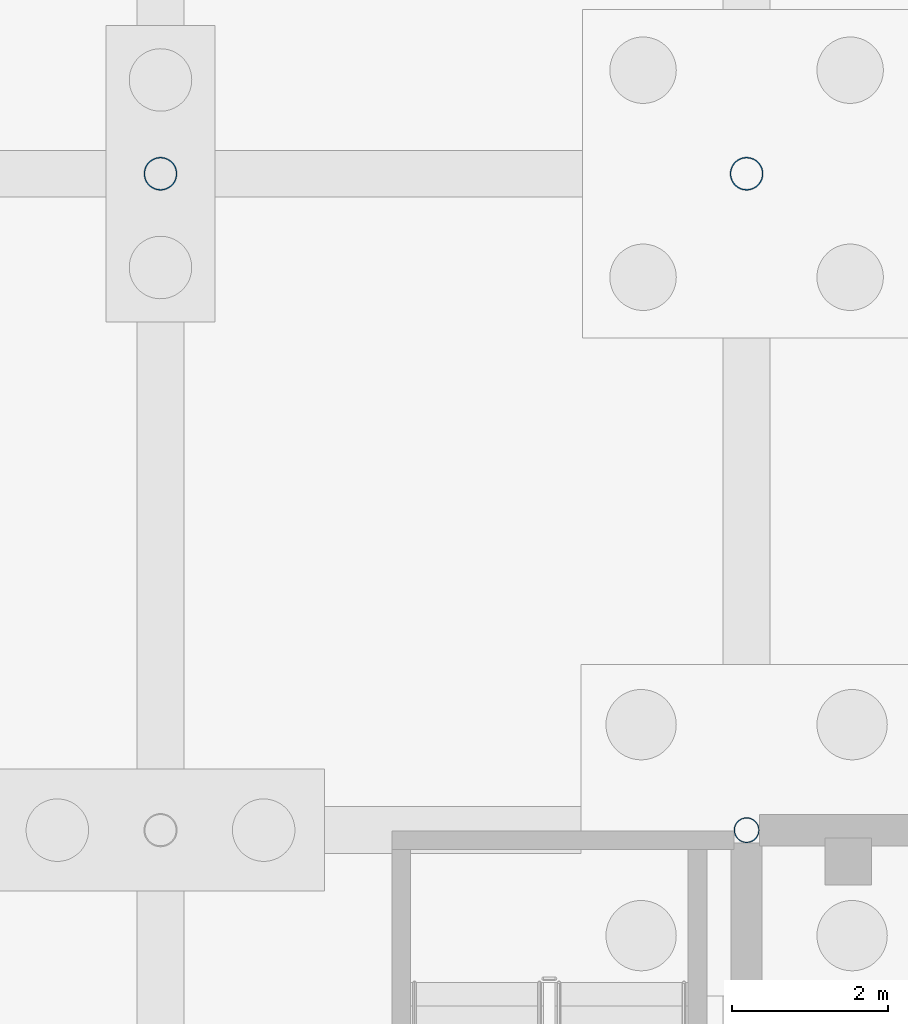
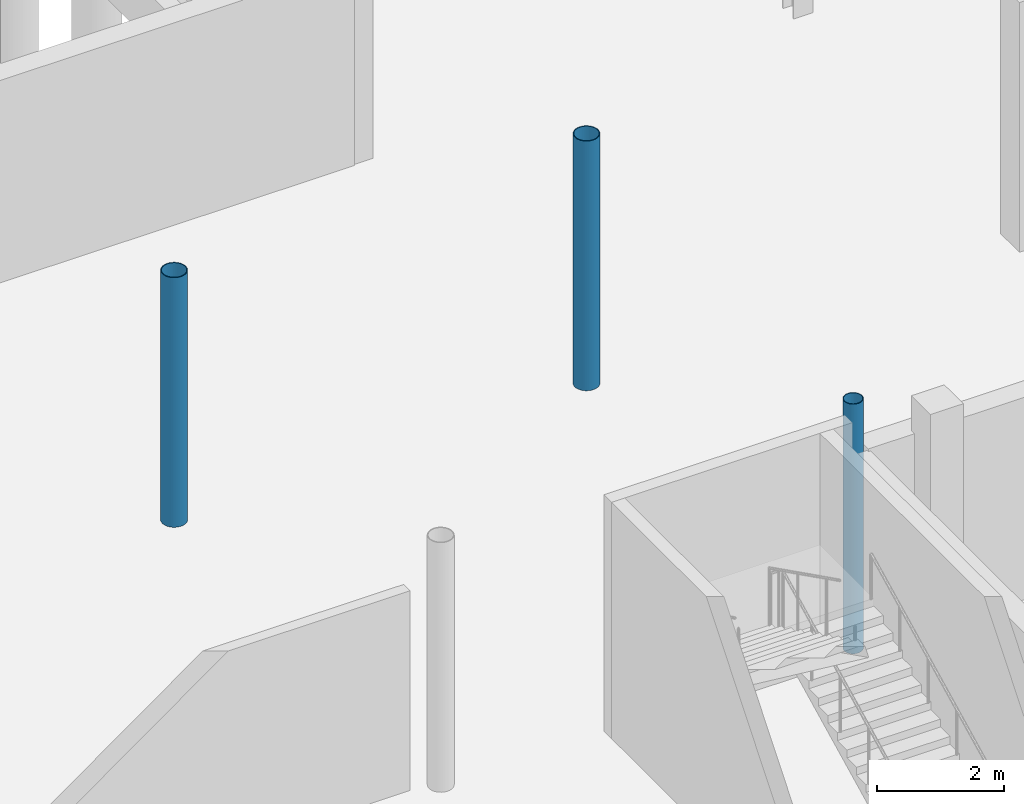
# One storey, part 15 of 44: 3 columns.
"""IFC4 building model written with IfcOpenShell, lengths in metres."""

from ifc_helpers import new_model, si_unit, direction, frame, origin, origin_2d, place, context, subcontext, project, spatial, hollow_circle, extrude, material, material_profile, profile_set, type_object, element, save


model = new_model("IFC4")

# Units and contexts
model_context = context("Model", 3, precision=1e-05, world=origin(), true_north=direction((0.0, 1.0)))
body_context = subcontext(model_context, "Body", "Model", "MODEL_VIEW")
ifc_project = project(units=[si_unit("LENGTHUNIT", "METRE"), si_unit("AREAUNIT", "SQUARE_METRE"), si_unit("VOLUMEUNIT", "CUBIC_METRE"), si_unit("PLANEANGLEUNIT", "RADIAN"), si_unit("MASSUNIT", "GRAM", prefix="KILO")], contexts=[model_context])

# Site, building, storey
site_placement = place(None, origin())
site = spatial("IfcSite", under=ifc_project, at=site_placement, CompositionType="ELEMENT")
building_placement = place(site_placement, origin())
building = spatial("IfcBuilding", under=site, at=building_placement, Name="Yukiwa Park Conservatory and Herbarium", CompositionType="ELEMENT")
storey_placement = place(building_placement, frame((0.0, 0.0, -4.800048828125)))
storey = spatial("IfcBuildingStorey", under=building, at=storey_placement, Name="B1", CompositionType="ELEMENT", Elevation=-4.800048828125)

# Columns
ifc_material_1 = material(Name="Steel Q355D", Category="steel")
ifc_material_profile_1 = material_profile(ifc_material_1, hollow_circle(Radius=0.16259765625, WallThickness=0.011962890625, at=origin_2d()), Name="CHS 325x12")
ifc_profile_set_1 = profile_set([ifc_material_profile_1], Name="Steel Q355D")
column_type_1 = type_object("IfcColumnType", Name="COL-CN-CHS325", PredefinedType="COLUMN", material=ifc_profile_set_1)
column_placement = place(storey_placement, frame((60.0, 15.60009765625, 0.0), z_axis=(0.0, 0.0, 1.0), x_axis=(1.0, 0.0, 0.0)))
element("IfcColumn", 1, at=column_placement, inside=storey, type_object=column_type_1, Name="B1 column V2-X600-Y156", PredefinedType="COLUMN", context=body_context, shape_type="SweptSolid", body=[
    extrude(hollow_circle(Radius=0.16259765625, WallThickness=0.011962890625, at=origin_2d()), origin(), (0.0, 0.0, 1.0), 4.800048828125),
])
ifc_material_2 = material(Name="Steel Q355D", Category="steel")
ifc_material_profile_2 = material_profile(ifc_material_2, hollow_circle(Radius=0.212890625, WallThickness=0.013916015625, at=origin_2d()), Name="CHS 426x14")
ifc_profile_set_2 = profile_set([ifc_material_profile_2], Name="Steel Q355D")
column_type_2 = type_object("IfcColumnType", Name="COL-CV-CHS426", PredefinedType="COLUMN", material=ifc_profile_set_2)
for number, where, z_axis, x_axis, name in (
    (2, (52.5, 24.0, 0.0), (0.0, 0.0, 1.0), (1.0, 0.0, 0.0), "B1 column V1-X525-Y240"),
    (3, (60.0, 24.0, 0.0), (0.0, 0.0, 1.0), (1.0, 0.0, 0.0), "B1 column V1-X600-Y240"),
):
    element("IfcColumn", number, at=place(storey_placement, frame(where, z_axis=z_axis, x_axis=x_axis)), inside=storey, type_object=column_type_2, Name=name, PredefinedType="COLUMN", context=body_context, shape_type="SweptSolid", body=[
        extrude(hollow_circle(Radius=0.212890625, WallThickness=0.013916015625, at=origin_2d()), origin(), (0.0, 0.0, 1.0), 4.800048828125),
    ])

save(model, "model.ifc")
